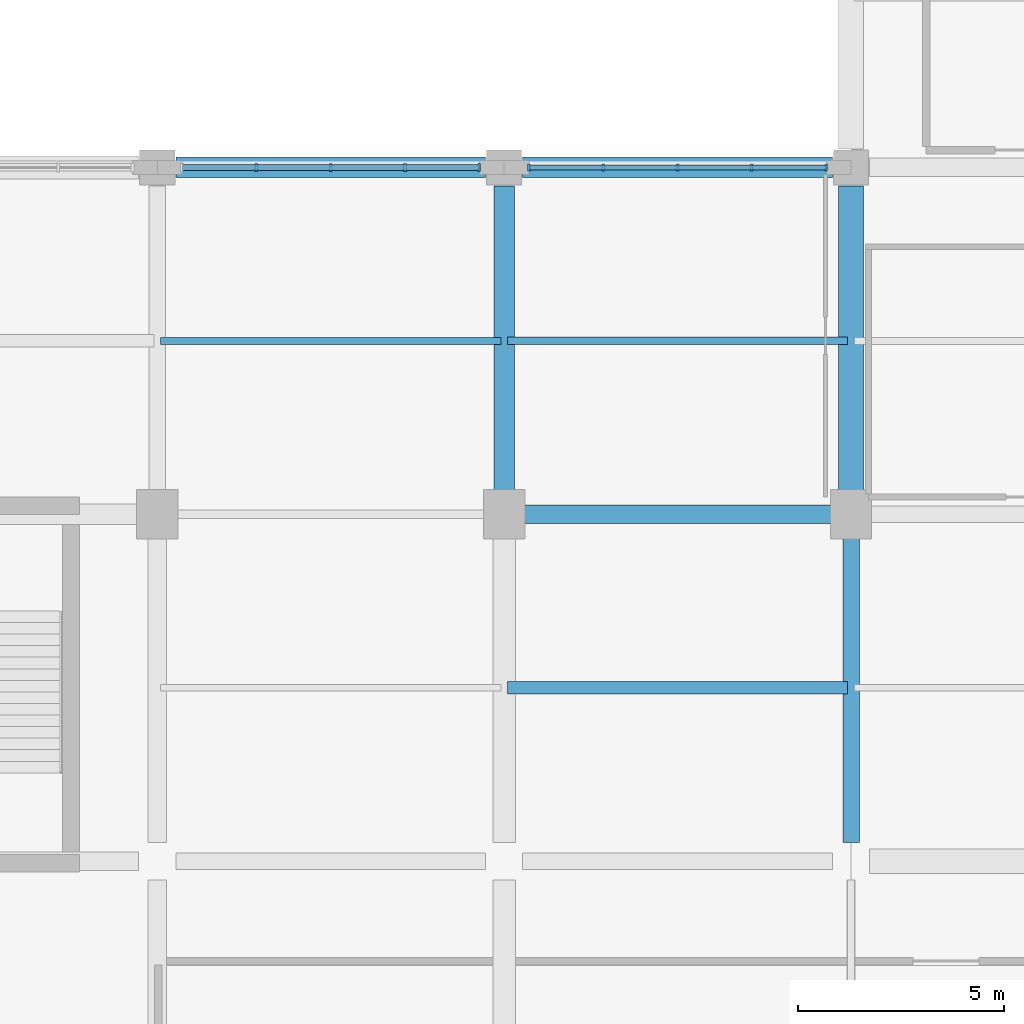
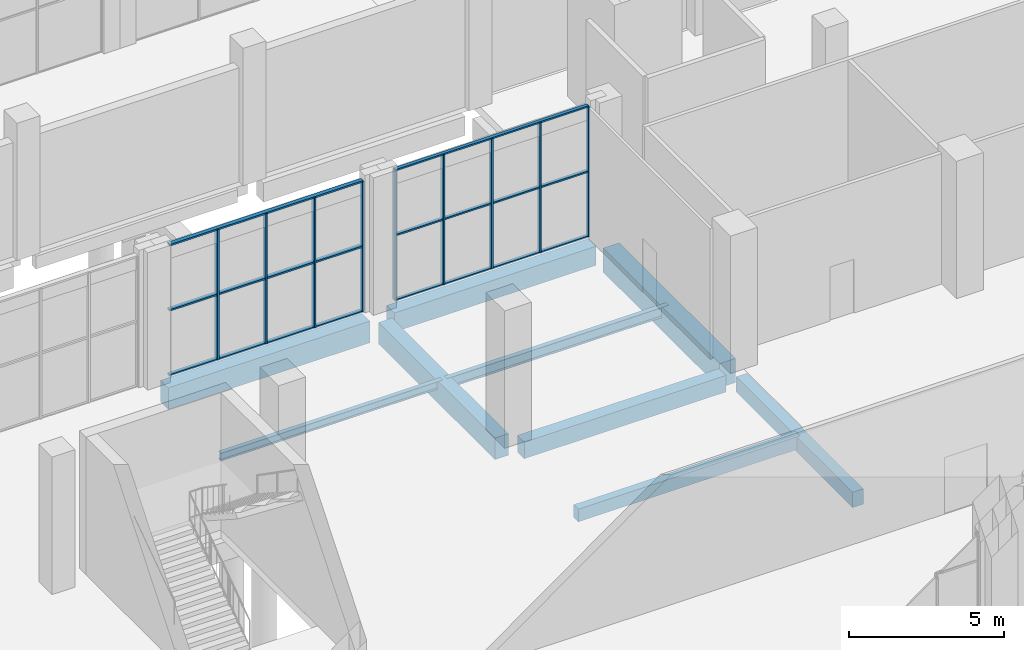
# One storey, part 33 of 82: 15 members, 9 beams, 2 elements without a shape of their own.
"""IFC4 building model written with IfcOpenShell, lengths in metres."""

from ifc_helpers import new_model, si_unit, derived_unit, direction, frame, origin, origin_2d, place, context, subcontext, project, spatial, rectangle, i_section, extrude, material, material_profile, profile_set, type_object, element, aggregate, save


model = new_model("IFC4")

# Units and contexts
model_context = context("Model", 3, precision=1e-05, world=origin(), true_north=direction((0.0, 1.0)))
body_context = subcontext(model_context, "Body", "Model", "MODEL_VIEW")
ifc_project = project(units=[si_unit("LENGTHUNIT", "METRE"), si_unit("AREAUNIT", "SQUARE_METRE"), si_unit("VOLUMEUNIT", "CUBIC_METRE"), si_unit("PLANEANGLEUNIT", "RADIAN"), si_unit("MASSUNIT", "GRAM", prefix="KILO"), derived_unit("THERMALTRANSMITTANCEUNIT", [(si_unit("POWERUNIT", "WATT"), 1), (si_unit("LENGTHUNIT", "METRE"), -2), (si_unit("THERMODYNAMICTEMPERATUREUNIT", "KELVIN"), -1)])], contexts=[model_context])

# Site, building, storey
site_placement = place(None, origin())
site = spatial("IfcSite", under=ifc_project, at=site_placement, CompositionType="ELEMENT")
building_placement = place(site_placement, origin())
building = spatial("IfcBuilding", under=site, at=building_placement, Name="Barrovel Congress Hotel", CompositionType="ELEMENT")
storey_placement = place(building_placement, origin())
storey = spatial("IfcBuildingStorey", under=building, at=storey_placement, Name="L00", CompositionType="ELEMENT", Elevation=0.0)

# Beams
ifc_material_1 = material(Name="Concrete C40", Category="concrete")
ifc_material_profile_1 = material_profile(ifc_material_1, rectangle(XDim=0.300048828125, YDim=0.5, at=origin_2d()), Name="RC300x500")
ifc_profile_set_1 = profile_set([ifc_material_profile_1], Name="Concrete C40")
beam_type_1 = type_object("IfcBeamType", Name="BM-RC300x500", PredefinedType="JOIST", material=ifc_profile_set_1)
beam_1_placement = place(storey_placement, frame((117.679931640625, 16.800048828125, -0.570068359375), z_axis=(1.0, 0.0, 0.0), x_axis=(0.0, 1.0, 0.0)))
element("IfcBeam", 1, at=beam_1_placement, inside=storey, type_object=beam_type_1, Name="JST:L00:117.6:16.8", PredefinedType="JOIST", context=body_context, shape_type="SweptSolid", body=[
    extrude(rectangle(XDim=0.300048828125, YDim=0.5, at=origin_2d()), origin(), (0.0, 0.0, 1.0), 8.239990234375),
])
ifc_material_profile_2 = material_profile(ifc_material_1, rectangle(XDim=0.39990234375, YDim=0.60009765625, at=origin_2d()), Name="RC400x600")
ifc_profile_set_2 = profile_set([ifc_material_profile_2], Name="Concrete C40")
beam_type_2 = type_object("IfcBeamType", Name="BM-RC400x600", PredefinedType="BEAM", material=ifc_profile_set_2)
beam_2_placement = place(storey_placement, frame((126.0, 13.050048828125, -0.6201171875), z_axis=(0.0, 1.0, 0.0), x_axis=(-1.0, 0.0, 0.0)))
element("IfcBeam", 2, at=beam_2_placement, inside=storey, type_object=beam_type_2, Name="BMY:L00:126.0:12.6-21.0", PredefinedType="BEAM", context=body_context, shape_type="SweptSolid", body=[
    extrude(rectangle(XDim=0.39990234375, YDim=0.60009765625, at=origin_2d()), origin(), (0.0, 0.0, 1.0), 7.5),
])
ifc_material_profile_3 = material_profile(ifc_material_1, rectangle(XDim=0.449951171875, YDim=0.64990234375, at=origin_2d()), Name="RC450x650")
ifc_profile_set_3 = profile_set([ifc_material_profile_3], Name="Concrete C40")
beam_type_3 = type_object("IfcBeamType", Name="BM-RC450x650", PredefinedType="BEAM", material=ifc_profile_set_3)
beam_3_placement = place(storey_placement, frame((118.050048828125, 21.0, -0.64501953125), z_axis=(1.0, 0.0, 0.0), x_axis=(0.0, 1.0, 0.0)))
element("IfcBeam", 3, at=beam_3_placement, inside=storey, type_object=beam_type_3, Name="BMX:L00:21.0:117.6-126.0", PredefinedType="BEAM", context=body_context, shape_type="SweptSolid", body=[
    extrude(rectangle(XDim=0.449951171875, YDim=0.64990234375, at=origin_2d()), origin(), (0.0, 0.0, 1.0), 7.5),
])
ifc_material_profile_4 = material_profile(ifc_material_1, rectangle(XDim=0.5, YDim=0.75, at=origin_2d()), Name="RC500x750")
ifc_profile_set_4 = profile_set([ifc_material_profile_4], Name="Concrete C40")
beam_type_4 = type_object("IfcBeamType", Name="BM-RC500x750", PredefinedType="BEAM", material=ifc_profile_set_4)
beam_4_placement = place(storey_placement, frame((118.050048828125, 29.39990234375, -0.695068359375), z_axis=(1.0, 0.0, 0.0), x_axis=(0.0, 1.0, 0.0)))
element("IfcBeam", 4, at=beam_4_placement, inside=storey, type_object=beam_type_4, Name="BMX:L00:29.4:117.6-126.0", PredefinedType="BEAM", context=body_context, shape_type="SweptSolid", body=[
    extrude(rectangle(XDim=0.5, YDim=0.75, at=origin_2d()), origin(), (0.0, 0.0, 1.0), 7.5),
])
ifc_material_profile_5 = material_profile(ifc_material_1, rectangle(XDim=0.5, YDim=0.85009765625, at=origin_2d()), Name="RC500x850")
ifc_profile_set_5 = profile_set([ifc_material_profile_5], Name="Concrete C40")
beam_type_5 = type_object("IfcBeamType", Name="BM-RC500x850", PredefinedType="BEAM", material=ifc_profile_set_5)
for number, where, z_axis, x_axis, name in (
    (5, (109.64990234375, 29.39990234375, -0.7451171875), (1.0, 0.0, 0.0), (0.0, 1.0, 0.0), "BMX:L00:29.4:109.2-117.6"),
    (6, (117.60009765625, 21.449951171875, -0.7451171875), (0.0, 1.0, 0.0), (-1.0, 0.0, 0.0), "BMY:L00:117.6:21.0-29.4"),
):
    element("IfcBeam", number, at=place(storey_placement, frame(where, z_axis=z_axis, x_axis=x_axis)), inside=storey, type_object=beam_type_5, Name=name, PredefinedType="BEAM", context=body_context, shape_type="SweptSolid", body=[
        extrude(rectangle(XDim=0.5, YDim=0.85009765625, at=origin_2d()), origin(), (0.0, 0.0, 1.0), 7.5),
    ])
ifc_material_profile_6 = material_profile(ifc_material_1, rectangle(XDim=0.60009765625, YDim=0.949951171875, at=origin_2d()), Name="RC600x950")
ifc_profile_set_6 = profile_set([ifc_material_profile_6], Name="Concrete C40")
beam_type_6 = type_object("IfcBeamType", Name="BM-RC600x950", PredefinedType="BEAM", material=ifc_profile_set_6)
beam_5_placement = place(storey_placement, frame((126.0, 21.449951171875, -0.794921875), z_axis=(0.0, 1.0, 0.0), x_axis=(-1.0, 0.0, 0.0)))
element("IfcBeam", 7, at=beam_5_placement, inside=storey, type_object=beam_type_6, Name="BMY:L00:126.0:21.0-29.4", PredefinedType="BEAM", context=body_context, shape_type="SweptSolid", body=[
    extrude(rectangle(XDim=0.60009765625, YDim=0.949951171875, at=origin_2d()), origin(), (0.0, 0.0, 1.0), 7.5),
])

# Curtain wall, members
ifc_material_2 = material(Name="Anodised Aluminium Alloy 6063-T6", Category="aluminium")
curtain_wall_type = type_object("IfcCurtainWallType", Name="CW-ST-7200x4800", PredefinedType="USERDEFINED", material=ifc_material_2)
curtain_wall_1_placement = place(storey_placement, origin())
curtain_wall_1 = element("IfcCurtainWall", 8, at=curtain_wall_1_placement, inside=storey, type_object=curtain_wall_type, Name="CW:L00:CS:14", ObjectType="STICK CURTAIN WALL", PredefinedType="USERDEFINED")
ifc_material_profile_7 = material_profile(ifc_material_2, rectangle(XDim=0.06005859375, YDim=0.1650390625, at=origin_2d()), Name="AL-M60x165")
ifc_profile_set_7 = profile_set([ifc_material_profile_7], Name="Anodised Aluminium Alloy 6063-T6")
member_type_1 = type_object("IfcMemberType", Name="CWM-AL-M60x165", PredefinedType="MULLION", material=ifc_profile_set_7)
member_1_placement = place(storey_placement, frame((125.39990234375, 29.39990234375, 0.0), z_axis=(0.0, 0.0, 1.0), x_axis=(1.0, 0.0, 0.0)))
member_1 = element("IfcMember", 9, at=member_1_placement, type_object=member_type_1, Name="CW:L00:CS:14:M0", PredefinedType="MULLION", context=body_context, shape_type="SweptSolid", body=[
    extrude(rectangle(XDim=0.06005859375, YDim=0.1650390625, at=origin_2d()), origin(), (0.0, 0.0, 1.0), 5.1201171875),
])
member_2_placement = place(storey_placement, frame((123.60009765625, 29.39990234375, 0.0), z_axis=(0.0, 0.0, 1.0), x_axis=(1.0, 0.0, 0.0)))
member_2 = element("IfcMember", 10, at=member_2_placement, type_object=member_type_1, Name="CW:L00:CS:14:M1", PredefinedType="MULLION", context=body_context, shape_type="SweptSolid", body=[
    extrude(rectangle(XDim=0.06005859375, YDim=0.1650390625, at=origin_2d()), origin(), (0.0, 0.0, 1.0), 5.1201171875),
])
member_3_placement = place(storey_placement, frame((121.800048828125, 29.39990234375, 0.0), z_axis=(0.0, 0.0, 1.0), x_axis=(1.0, 0.0, 0.0)))
member_3 = element("IfcMember", 11, at=member_3_placement, type_object=member_type_1, Name="CW:L00:CS:14:M2", PredefinedType="MULLION", context=body_context, shape_type="SweptSolid", body=[
    extrude(rectangle(XDim=0.06005859375, YDim=0.1650390625, at=origin_2d()), origin(), (0.0, 0.0, 1.0), 5.1201171875),
])
member_4_placement = place(storey_placement, frame((120.0, 29.39990234375, 0.0), z_axis=(0.0, 0.0, 1.0), x_axis=(1.0, 0.0, 0.0)))
member_4 = element("IfcMember", 12, at=member_4_placement, type_object=member_type_1, Name="CW:L00:CS:14:M3", PredefinedType="MULLION", context=body_context, shape_type="SweptSolid", body=[
    extrude(rectangle(XDim=0.06005859375, YDim=0.1650390625, at=origin_2d()), origin(), (0.0, 0.0, 1.0), 5.1201171875),
])
member_5_placement = place(storey_placement, frame((118.199951171875, 29.39990234375, 0.0), z_axis=(0.0, 0.0, 1.0), x_axis=(1.0, 0.0, 0.0)))
member_5 = element("IfcMember", 13, at=member_5_placement, type_object=member_type_1, Name="CW:L00:CS:14:M4", PredefinedType="MULLION", context=body_context, shape_type="SweptSolid", body=[
    extrude(rectangle(XDim=0.06005859375, YDim=0.1650390625, at=origin_2d()), origin(), (0.0, 0.0, 1.0), 5.1201171875),
])

curtain_wall_2_placement = place(storey_placement, origin())
curtain_wall_2 = element("IfcCurtainWall", 14, at=curtain_wall_2_placement, inside=storey, type_object=curtain_wall_type, Name="CW:L00:CS:13", ObjectType="STICK CURTAIN WALL", PredefinedType="USERDEFINED")
ifc_material_profile_8 = material_profile(ifc_material_2, rectangle(XDim=0.06494140625, YDim=0.18994140625, at=origin_2d()), Name="AL-M65x190")
ifc_profile_set_8 = profile_set([ifc_material_profile_8], Name="Anodised Aluminium Alloy 6063-T6")
member_type_2 = type_object("IfcMemberType", Name="CWM-AL-M65x190", PredefinedType="MULLION", material=ifc_profile_set_8)
member_6_placement = place(storey_placement, frame((117.0, 29.39990234375, 0.0), z_axis=(0.0, 0.0, 1.0), x_axis=(1.0, 0.0, 0.0)))
member_6 = element("IfcMember", 15, at=member_6_placement, type_object=member_type_2, Name="CW:L00:CS:13:M0", PredefinedType="MULLION", context=body_context, shape_type="SweptSolid", body=[
    extrude(rectangle(XDim=0.06494140625, YDim=0.18994140625, at=origin_2d()), origin(), (0.0, 0.0, 1.0), 5.1201171875),
])
member_7_placement = place(storey_placement, frame((115.199951171875, 29.39990234375, 0.0), z_axis=(0.0, 0.0, 1.0), x_axis=(1.0, 0.0, 0.0)))
member_7 = element("IfcMember", 16, at=member_7_placement, type_object=member_type_2, Name="CW:L00:CS:13:M1", PredefinedType="MULLION", context=body_context, shape_type="SweptSolid", body=[
    extrude(rectangle(XDim=0.06494140625, YDim=0.18994140625, at=origin_2d()), origin(), (0.0, 0.0, 1.0), 5.1201171875),
])
member_8_placement = place(storey_placement, frame((113.39990234375, 29.39990234375, 0.0), z_axis=(0.0, 0.0, 1.0), x_axis=(1.0, 0.0, 0.0)))
member_8 = element("IfcMember", 17, at=member_8_placement, type_object=member_type_2, Name="CW:L00:CS:13:M2", PredefinedType="MULLION", context=body_context, shape_type="SweptSolid", body=[
    extrude(rectangle(XDim=0.06494140625, YDim=0.18994140625, at=origin_2d()), origin(), (0.0, 0.0, 1.0), 5.1201171875),
])
member_9_placement = place(storey_placement, frame((111.60009765625, 29.39990234375, 0.0), z_axis=(0.0, 0.0, 1.0), x_axis=(1.0, 0.0, 0.0)))
member_9 = element("IfcMember", 18, at=member_9_placement, type_object=member_type_2, Name="CW:L00:CS:13:M3", PredefinedType="MULLION", context=body_context, shape_type="SweptSolid", body=[
    extrude(rectangle(XDim=0.06494140625, YDim=0.18994140625, at=origin_2d()), origin(), (0.0, 0.0, 1.0), 5.1201171875),
])

# Member
ifc_material_profile_9 = material_profile(ifc_material_2, rectangle(XDim=0.125, YDim=0.06005859375, at=origin_2d()), Name="AL-T60x125")
ifc_profile_set_9 = profile_set([ifc_material_profile_9], Name="Anodised Aluminium Alloy 6063-T6")
member_type_3 = type_object("IfcMemberType", Name="CWT-AL-T60x125", PredefinedType="USERDEFINED", material=ifc_profile_set_9)
member_10_placement = place(storey_placement, frame((125.39990234375, 29.39990234375, 0.0), z_axis=(-1.0, 0.0, 0.0), x_axis=(0.0, -1.0, 0.0)))
member_10 = element("IfcMember", 19, at=member_10_placement, type_object=member_type_3, Name="CW:L00:CS:14:T0", ObjectType="TRANSOM", PredefinedType="USERDEFINED", context=body_context, shape_type="SweptSolid", body=[
    extrude(rectangle(XDim=0.125, YDim=0.06005859375, at=origin_2d()), origin(), (0.0, 0.0, 1.0), 7.199951171875),
])

member_11_placement = place(storey_placement, frame((125.39990234375, 29.39990234375, 2.56005859375), z_axis=(-1.0, 0.0, 0.0), x_axis=(0.0, -1.0, 0.0)))
member_11 = element("IfcMember", 20, at=member_11_placement, type_object=member_type_3, Name="CW:L00:CS:14:T1", ObjectType="TRANSOM", PredefinedType="USERDEFINED", context=body_context, shape_type="SweptSolid", body=[
    extrude(rectangle(XDim=0.125, YDim=0.06005859375, at=origin_2d()), origin(), (0.0, 0.0, 1.0), 7.199951171875),
])

member_12_placement = place(storey_placement, frame((125.39990234375, 29.39990234375, 5.1201171875), z_axis=(-1.0, 0.0, 0.0), x_axis=(0.0, -1.0, 0.0)))
member_12 = element("IfcMember", 21, at=member_12_placement, type_object=member_type_3, Name="CW:L00:CS:14:T2", ObjectType="TRANSOM", PredefinedType="USERDEFINED", context=body_context, shape_type="SweptSolid", body=[
    extrude(rectangle(XDim=0.125, YDim=0.06005859375, at=origin_2d()), origin(), (0.0, 0.0, 1.0), 7.199951171875),
])

aggregate(curtain_wall_1, [member_1, member_2, member_3, member_4, member_5, member_10, member_11, member_12])

ifc_material_profile_10 = material_profile(ifc_material_2, rectangle(XDim=0.14990234375, YDim=0.06494140625, at=origin_2d()), Name="AL-T65x150")
ifc_profile_set_10 = profile_set([ifc_material_profile_10], Name="Anodised Aluminium Alloy 6063-T6")
member_type_4 = type_object("IfcMemberType", Name="CWT-AL-T65x150", PredefinedType="USERDEFINED", material=ifc_profile_set_10)
member_13_placement = place(storey_placement, frame((117.0, 29.39990234375, 0.0), z_axis=(-1.0, 0.0, 0.0), x_axis=(0.0, -1.0, 0.0)))
member_13 = element("IfcMember", 22, at=member_13_placement, type_object=member_type_4, Name="CW:L00:CS:13:T0", ObjectType="TRANSOM", PredefinedType="USERDEFINED", context=body_context, shape_type="SweptSolid", body=[
    extrude(rectangle(XDim=0.14990234375, YDim=0.06494140625, at=origin_2d()), origin(), (0.0, 0.0, 1.0), 7.199951171875),
])

member_14_placement = place(storey_placement, frame((117.0, 29.39990234375, 2.56005859375), z_axis=(-1.0, 0.0, 0.0), x_axis=(0.0, -1.0, 0.0)))
member_14 = element("IfcMember", 23, at=member_14_placement, type_object=member_type_4, Name="CW:L00:CS:13:T1", ObjectType="TRANSOM", PredefinedType="USERDEFINED", context=body_context, shape_type="SweptSolid", body=[
    extrude(rectangle(XDim=0.14990234375, YDim=0.06494140625, at=origin_2d()), origin(), (0.0, 0.0, 1.0), 7.199951171875),
])

member_15_placement = place(storey_placement, frame((117.0, 29.39990234375, 5.1201171875), z_axis=(-1.0, 0.0, 0.0), x_axis=(0.0, -1.0, 0.0)))
member_15 = element("IfcMember", 24, at=member_15_placement, type_object=member_type_4, Name="CW:L00:CS:13:T2", ObjectType="TRANSOM", PredefinedType="USERDEFINED", context=body_context, shape_type="SweptSolid", body=[
    extrude(rectangle(XDim=0.14990234375, YDim=0.06494140625, at=origin_2d()), origin(), (0.0, 0.0, 1.0), 7.199951171875),
])

aggregate(curtain_wall_2, [member_6, member_7, member_8, member_9, member_13, member_14, member_15])

# Beams
ifc_material_3 = material(Name="Steel ASTM A992 Grade 50", Category="steel")
ifc_material_profile_11 = material_profile(ifc_material_3, i_section(OverallWidth=0.1650390625, OverallDepth=0.31005859375, WebThickness=0.005859375, FlangeThickness=0.009765625, FilletRadius=0.010986328125, at=origin_2d()), Name="W310x39")
ifc_profile_set_11 = profile_set([ifc_material_profile_11], Name="Steel ASTM A992 Grade 50")
beam_type_7 = type_object("IfcBeamType", Name="SBM-W310x39", PredefinedType="JOIST", material=ifc_profile_set_11)
beam_6_placement = place(storey_placement, frame((109.280029296875, 25.199951171875, -0.47509765625), z_axis=(1.0, 0.0, 0.0), x_axis=(0.0, 1.0, 0.0)))
element("IfcBeam", 25, at=beam_6_placement, inside=storey, type_object=beam_type_7, Name="JST:L00:109.2:25.2", PredefinedType="JOIST", context=body_context, shape_type="SweptSolid", body=[
    extrude(i_section(OverallWidth=0.1650390625, OverallDepth=0.31005859375, WebThickness=0.005859375, FlangeThickness=0.009765625, FilletRadius=0.010986328125, at=origin_2d()), origin(), (0.0, 0.0, 1.0), 8.239990234375),
])
ifc_material_profile_12 = material_profile(ifc_material_3, i_section(OverallWidth=0.177001953125, OverallDepth=0.403076171875, WebThickness=0.007568359375, FlangeThickness=0.010986328125, FilletRadius=0.011962890625, at=origin_2d()), Name="W410x53")
ifc_profile_set_12 = profile_set([ifc_material_profile_12], Name="Steel ASTM A992 Grade 50")
beam_type_8 = type_object("IfcBeamType", Name="SBM-W410x53", PredefinedType="JOIST", material=ifc_profile_set_12)
beam_7_placement = place(storey_placement, frame((117.679931640625, 25.199951171875, -0.521484375), z_axis=(1.0, 0.0, 0.0), x_axis=(0.0, 1.0, 0.0)))
element("IfcBeam", 26, at=beam_7_placement, inside=storey, type_object=beam_type_8, Name="JST:L00:117.6:25.2", PredefinedType="JOIST", context=body_context, shape_type="SweptSolid", body=[
    extrude(i_section(OverallWidth=0.177001953125, OverallDepth=0.403076171875, WebThickness=0.007568359375, FlangeThickness=0.010986328125, FilletRadius=0.011962890625, at=origin_2d()), origin(), (0.0, 0.0, 1.0), 8.239990234375),
])

save(model, "model.ifc")
